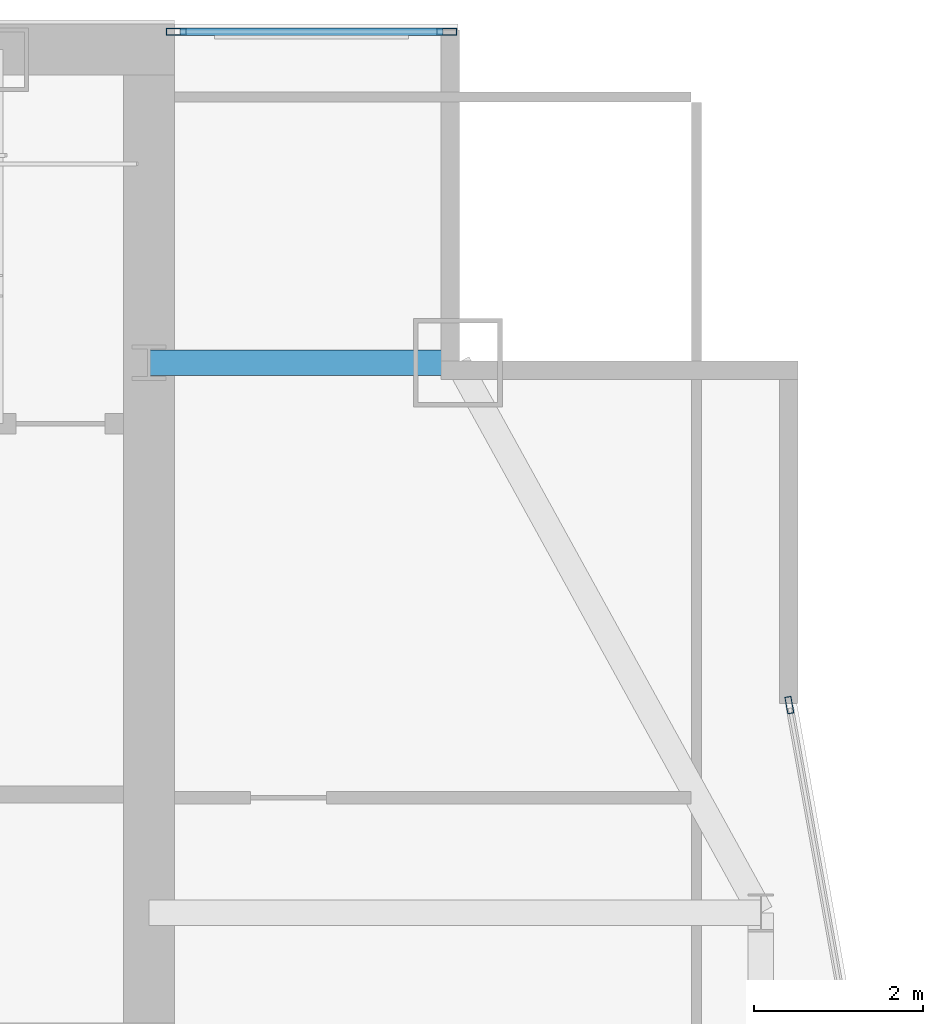
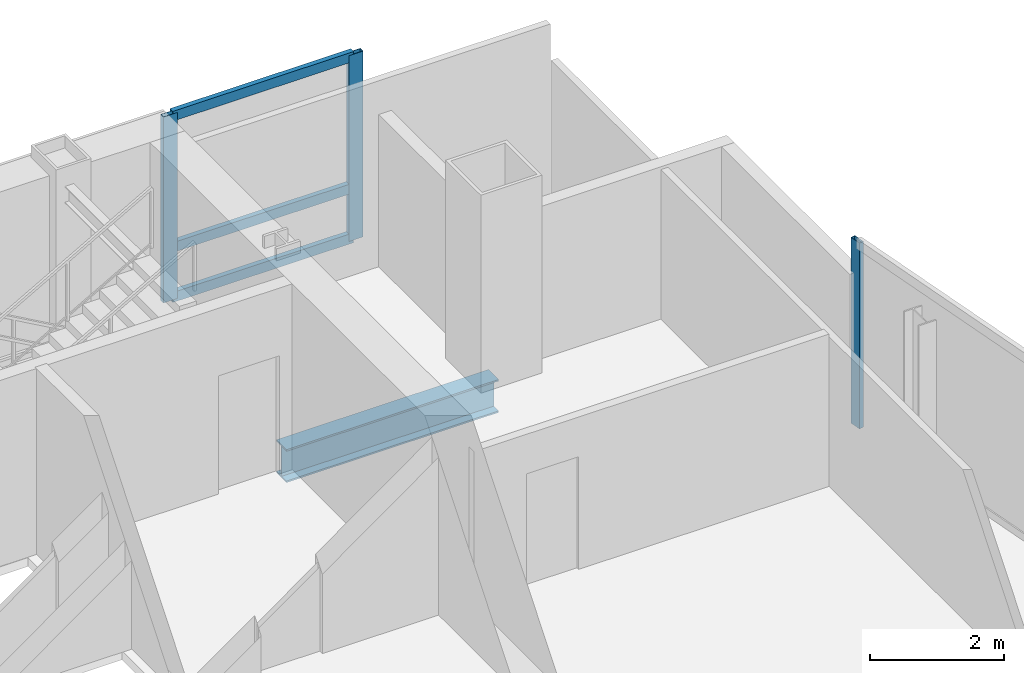
# One storey, part 23 of 30: 6 members, 1 beam, 2 elements without a shape of their own.
"""IFC4 building model written with IfcOpenShell, lengths in metres."""

from ifc_helpers import new_model, si_unit, direction, frame, origin, origin_2d, place, context, subcontext, project, spatial, hollow_rectangle, i_section, extrude, material, material_profile, profile_set, type_object, element, aggregate, save


model = new_model("IFC4")

# Units and contexts
model_context = context("Model", 3, precision=1e-05, world=origin(), true_north=direction((0.0, 1.0)))
body_context = subcontext(model_context, "Body", "Model", "MODEL_VIEW")
ifc_project = project(units=[si_unit("LENGTHUNIT", "METRE"), si_unit("AREAUNIT", "SQUARE_METRE"), si_unit("VOLUMEUNIT", "CUBIC_METRE"), si_unit("PLANEANGLEUNIT", "RADIAN"), si_unit("MASSUNIT", "GRAM", prefix="KILO")], contexts=[model_context])

# Site, building, storey
site_placement = place(None, origin())
site = spatial("IfcSite", under=ifc_project, at=site_placement, CompositionType="ELEMENT")
building_placement = place(site_placement, origin())
building = spatial("IfcBuilding", under=site, at=building_placement, Name="Khoronbel Lancet Exchange", CompositionType="ELEMENT")
storey_placement = place(building_placement, frame((0.0, 0.0, 253.39990234375)))
storey = spatial("IfcBuildingStorey", under=building, at=storey_placement, Name="L65", CompositionType="ELEMENT", Elevation=253.39990234375)

# Beam
ifc_material_1 = material(Name="Steel S355", Category="steel")
ifc_material_profile_1 = material_profile(ifc_material_1, i_section(OverallWidth=0.300048828125, OverallDepth=0.60009765625, WebThickness=0.015380859375, FlangeThickness=0.030029296875, at=origin_2d()), Name="HEB 600")
ifc_profile_set_1 = profile_set([ifc_material_profile_1], Name="Steel S355")
beam_type = type_object("IfcBeamType", Name="BM-BSP2", PredefinedType="SPANDREL", material=ifc_profile_set_1)
beam_placement = place(storey_placement, frame((60.050048828125, 49.699951171875, -0.4599609375), z_axis=(-1.0, 0.0, 0.0), x_axis=(0.0, -1.0, 0.0)))
element("IfcBeam", 1, at=beam_placement, inside=storey, type_object=beam_type, Name="Level L65 north flank tie spandrel SP23", PredefinedType="SPANDREL", context=body_context, shape_type="SweptSolid", body=[
    extrude(i_section(OverallWidth=0.300048828125, OverallDepth=0.60009765625, WebThickness=0.015380859375, FlangeThickness=0.030029296875, at=origin_2d()), origin(), (0.0, 0.0, 1.0), 3.650146484375),
])

# Curtain wall, members
ifc_material_2 = material(Name="Low-E Solar Control Insulating Glass", Category="glass")
curtain_wall_type_1 = type_object("IfcCurtainWallType", Name="CW-3", PredefinedType="NOTDEFINED", material=ifc_material_2)
curtain_wall_1_placement = place(storey_placement, origin())
curtain_wall_1 = element("IfcCurtainWall", 2, at=curtain_wall_1_placement, inside=storey, type_object=curtain_wall_type_1, Name="Unitised curtain wall CW-L65-NEFLK", PredefinedType="NOTDEFINED")
ifc_material_3 = material(Name="Bronze-Anodised Aluminium 6063-T6", Category="aluminium")
ifc_material_profile_2 = material_profile(ifc_material_3, hollow_rectangle(XDim=0.0849609375, YDim=0.239990234375, WallThickness=0.006103515625, at=origin_2d()), Name="ALU MULLION 85x240")
ifc_profile_set_2 = profile_set([ifc_material_profile_2], Name="Bronze-Anodised Aluminium 6063-T6")
member_type_1 = type_object("IfcMemberType", Name="MEM-CWM1", PredefinedType="MULLION", material=ifc_profile_set_2)
member_1_placement = place(storey_placement, frame((59.91748046875, 53.610107421875, 0.0), z_axis=(0.0, 0.0, 1.0), x_axis=(0.0, -1.0, 0.0)))
member_1 = element("IfcMember", 3, at=member_1_placement, type_object=member_type_1, Name="CW3 mullion 1", PredefinedType="MULLION", context=body_context, shape_type="SweptSolid", body=[
    extrude(hollow_rectangle(XDim=0.0849609375, YDim=0.239990234375, WallThickness=0.006103515625, at=origin_2d()), origin(), (0.0, 0.0, 1.0), 3.380126953125),
])
member_2_placement = place(storey_placement, frame((56.722412109375, 53.610107421875, 0.0), z_axis=(0.0, 0.0, 1.0), x_axis=(0.0, -1.0, 0.0)))
member_2 = element("IfcMember", 4, at=member_2_placement, type_object=member_type_1, Name="CW3 mullion 2", PredefinedType="MULLION", context=body_context, shape_type="SweptSolid", body=[
    extrude(hollow_rectangle(XDim=0.0849609375, YDim=0.239990234375, WallThickness=0.006103515625, at=origin_2d()), origin(), (0.0, 0.0, 1.0), 3.380126953125),
])

# Curtain wall, member
curtain_wall_type_2 = type_object("IfcCurtainWallType", Name="CW-4", PredefinedType="NOTDEFINED", material=ifc_material_2)
curtain_wall_2_placement = place(storey_placement, origin())
curtain_wall_2 = element("IfcCurtainWall", 5, at=curtain_wall_2_placement, inside=storey, type_object=curtain_wall_type_2, Name="Unitised curtain wall CW-L65-E17", PredefinedType="NOTDEFINED")
ifc_material_profile_3 = material_profile(ifc_material_3, hollow_rectangle(XDim=0.074951171875, YDim=0.199951171875, WallThickness=0.0048828125, at=origin_2d()), Name="ALU MULLION 75x200")
ifc_profile_set_3 = profile_set([ifc_material_profile_3], Name="Bronze-Anodised Aluminium 6063-T6")
member_type_2 = type_object("IfcMemberType", Name="MEM-CWM2", PredefinedType="MULLION", material=ifc_profile_set_3)
member_3_placement = place(storey_placement, frame((63.966552734375, 45.655029296875, 0.0), z_axis=(0.0, 0.0, 1.0), x_axis=(0.984425784404, 0.175800668376, 0.0)))
member_3 = element("IfcMember", 6, at=member_3_placement, type_object=member_type_2, Name="CW4 mullion 1", PredefinedType="MULLION", context=body_context, shape_type="SweptSolid", body=[
    extrude(hollow_rectangle(XDim=0.074951171875, YDim=0.199951171875, WallThickness=0.0048828125, at=origin_2d()), origin(), (0.0, 0.0, 1.0), 3.380126953125),
])
aggregate(curtain_wall_2, [member_3])

# Member
ifc_material_profile_4 = material_profile(ifc_material_3, hollow_rectangle(XDim=0.0849609375, YDim=0.179931640625, WallThickness=0.0048828125, at=origin_2d()), Name="ALU TRANSOM 85x180")
ifc_profile_set_4 = profile_set([ifc_material_profile_4], Name="Bronze-Anodised Aluminium 6063-T6")
member_type_3 = type_object("IfcMemberType", Name="MEM-CWT1", PredefinedType="USERDEFINED", material=ifc_profile_set_4)
member_4_placement = place(storey_placement, frame((59.875, 53.610107421875, 0.04248046875), z_axis=(-1.0, 0.0, 0.0), x_axis=(0.0, -1.0, 0.0)))
member_4 = element("IfcMember", 7, at=member_4_placement, type_object=member_type_3, Name="CW3 transom 1.1", ObjectType="TRANSOM", PredefinedType="USERDEFINED", context=body_context, shape_type="SweptSolid", body=[
    extrude(hollow_rectangle(XDim=0.0849609375, YDim=0.179931640625, WallThickness=0.0048828125, at=origin_2d()), origin(), (0.0, 0.0, 1.0), 3.110107421875),
])

member_5_placement = place(storey_placement, frame((59.875, 53.610107421875, 0.9501953125), z_axis=(-1.0, 0.0, 0.0), x_axis=(0.0, -1.0, 0.0)))
member_5 = element("IfcMember", 8, at=member_5_placement, type_object=member_type_3, Name="CW3 transom 1.2", ObjectType="TRANSOM", PredefinedType="USERDEFINED", context=body_context, shape_type="SweptSolid", body=[
    extrude(hollow_rectangle(XDim=0.0849609375, YDim=0.179931640625, WallThickness=0.0048828125, at=origin_2d()), origin(), (0.0, 0.0, 1.0), 3.110107421875),
])

member_6_placement = place(storey_placement, frame((59.875, 53.610107421875, 3.337646484375), z_axis=(-1.0, 0.0, 0.0), x_axis=(0.0, -1.0, 0.0)))
member_6 = element("IfcMember", 9, at=member_6_placement, type_object=member_type_3, Name="CW3 transom 1.3", ObjectType="TRANSOM", PredefinedType="USERDEFINED", context=body_context, shape_type="SweptSolid", body=[
    extrude(hollow_rectangle(XDim=0.0849609375, YDim=0.179931640625, WallThickness=0.0048828125, at=origin_2d()), origin(), (0.0, 0.0, 1.0), 3.110107421875),
])

aggregate(curtain_wall_1, [member_1, member_2, member_4, member_5, member_6])

save(model, "model.ifc")
